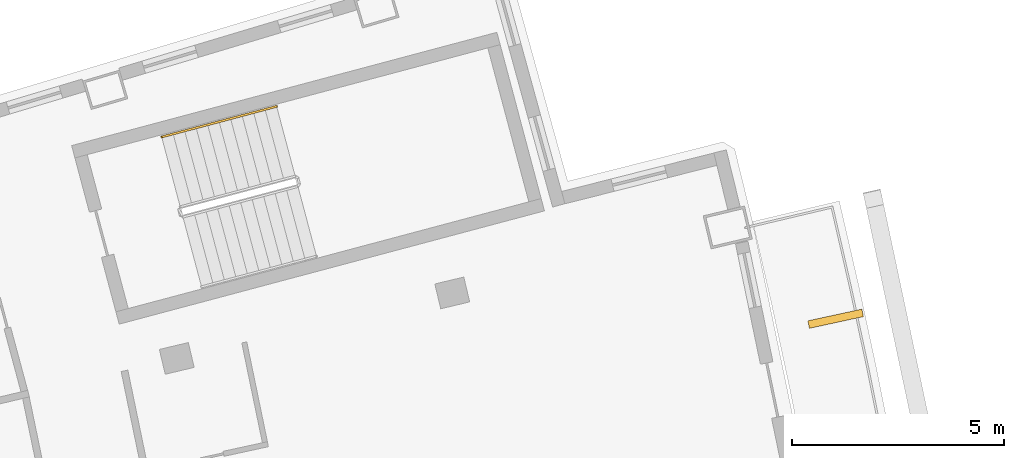
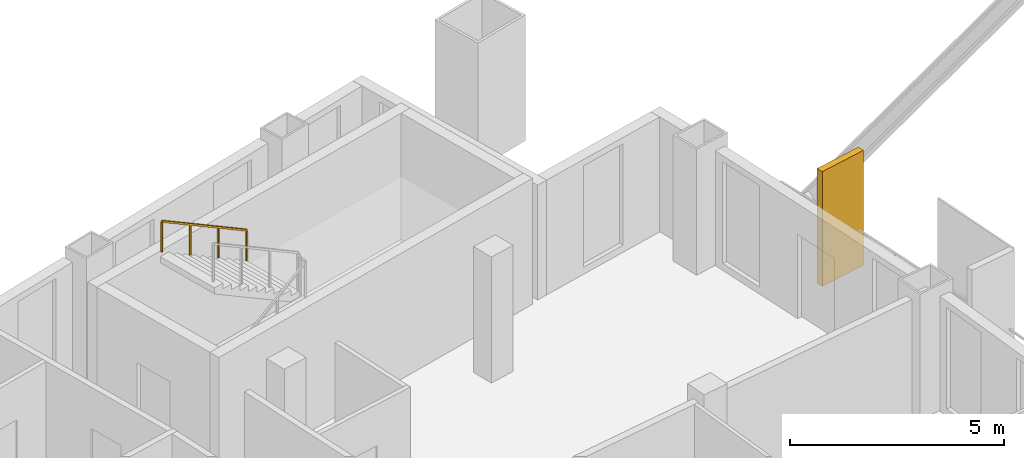
# One storey, part 17 of 17: 1 railing, 1 shading device.
"""IFC4 building model written with IfcOpenShell, lengths in metres."""

from ifc_helpers import new_model, si_unit, direction, frame, origin, origin_2d, place, context, subcontext, project, spatial, rectangle, extrude, material, layer, layer_set, type_object, element, save


model = new_model("IFC4")

# Units and contexts
model_context = context("Model", 3, precision=1e-05, world=origin(), true_north=direction((0.0, 1.0)))
body_context = subcontext(model_context, "Body", "Model", "MODEL_VIEW")
ifc_project = project(units=[si_unit("LENGTHUNIT", "METRE"), si_unit("AREAUNIT", "SQUARE_METRE"), si_unit("VOLUMEUNIT", "CUBIC_METRE"), si_unit("PLANEANGLEUNIT", "RADIAN"), si_unit("MASSUNIT", "GRAM", prefix="KILO")], contexts=[model_context])

# Site, building, storey
site_placement = place(None, origin())
site = spatial("IfcSite", under=ifc_project, at=site_placement, CompositionType="ELEMENT")
building_placement = place(site_placement, origin())
building = spatial("IfcBuilding", under=site, at=building_placement, Name="Alderwake Tower", CompositionType="ELEMENT")
storey_placement = place(building_placement, frame((0.0, 0.0, 278.0)))
storey = spatial("IfcBuildingStorey", under=building, at=storey_placement, Name="L69", CompositionType="ELEMENT", Elevation=278.0)

# Shading device
ifc_material_1 = material(Name="Bronze anodised aluminium", Category="aluminium")
ifc_layer = layer(ifc_material_1, 0.179931640625)
ifc_layer_set = layer_set([ifc_layer], Name="Facade fin 1300")
shading_device_type = type_object("IfcShadingDeviceType", Name="Facade fin 1300", PredefinedType="USERDEFINED", material=ifc_layer_set)
shading_device_placement = place(storey_placement, frame((54.65966796875, 90.251220703125, 0.0), z_axis=(0.0, 0.0, 1.0), x_axis=(0.977210363881, 0.212273184185, 0.0)))
element("IfcShadingDevice", 1, at=shading_device_placement, inside=storey, type_object=shading_device_type, Name="Fin", ObjectType="FIN", PredefinedType="USERDEFINED", context=body_context, shape_type="SweptSolid", body=[
    extrude(rectangle(XDim=1.300048828125, YDim=0.179931640625, at=origin_2d()), origin(), (0.0, 0.0, 1.0), 3.280029296875),
])

# Railing
ifc_material_2 = material(Name="Stainless steel handrail", Category="steel")
railing_type = type_object("IfcRailingType", Name="Stair handrail 900", PredefinedType="HANDRAIL", material=ifc_material_2)
railing_placement = place(storey_placement, frame((41.497802734375, 95.250244140625, 1.963623046875)))
element("IfcRailing", 2, at=railing_placement, inside=storey, type_object=railing_type, Name="L69 ST-A stair handrail 2", PredefinedType="HANDRAIL", context=body_context, shape_type="SweptSolid", body=[
    extrude(rectangle(XDim=0.048095703125, YDim=0.048095703125, at=origin_2d()), frame((0.0, 0.0, 0.8759765625), z_axis=(-0.834258940753, -0.22222815314, 0.504605457487), x_axis=(0.257402139082, -0.966304371715, 0.0)), (0.0, 0.0, 1.0), 3.2431640625),
    extrude(rectangle(XDim=0.0419921875, YDim=0.0419921875, at=origin_2d()), frame((0.0, 0.0, 0.0), z_axis=(0.0, 0.0, 1.0), x_axis=(-0.966304371715, -0.257402139082, 0.0)), (0.0, 0.0, 1.0), 0.851806640625),
    extrude(rectangle(XDim=0.0419921875, YDim=0.0419921875, at=origin_2d()), frame((-0.90185546875, -0.240234375, 0.54541015625), z_axis=(0.0, 0.0, 1.0), x_axis=(-0.966304371715, -0.257402139082, 0.0)), (0.0, 0.0, 1.0), 0.851806640625),
    extrude(rectangle(XDim=0.0419921875, YDim=0.0419921875, at=origin_2d()), frame((-1.8037109375, -0.48046875, 1.091064453125), z_axis=(0.0, 0.0, 1.0), x_axis=(-0.966304371715, -0.257402139082, 0.0)), (0.0, 0.0, 1.0), 0.851806640625),
    extrude(rectangle(XDim=0.0419921875, YDim=0.0419921875, at=origin_2d()), frame((-2.70556640625, -0.720703125, 1.636474609375), z_axis=(0.0, 0.0, 1.0), x_axis=(-0.966304371715, -0.257402139082, 0.0)), (0.0, 0.0, 1.0), 0.851806640625),
])

save(model, "model.ifc")
